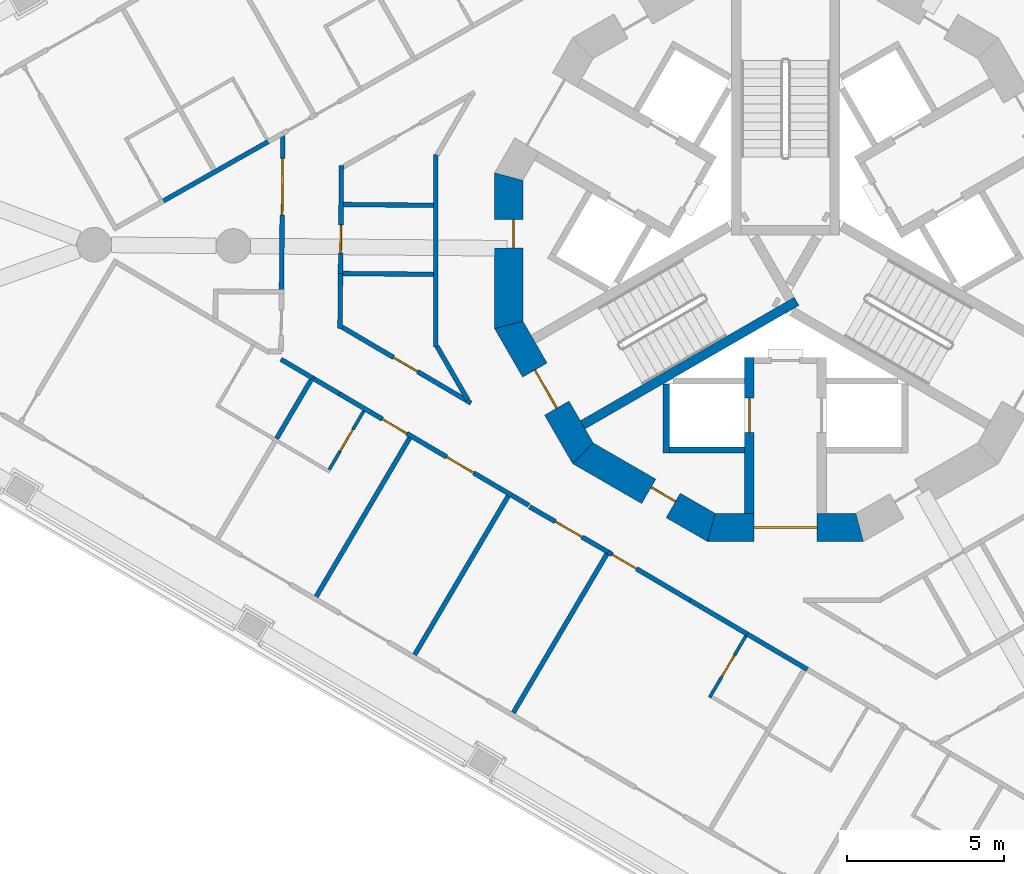
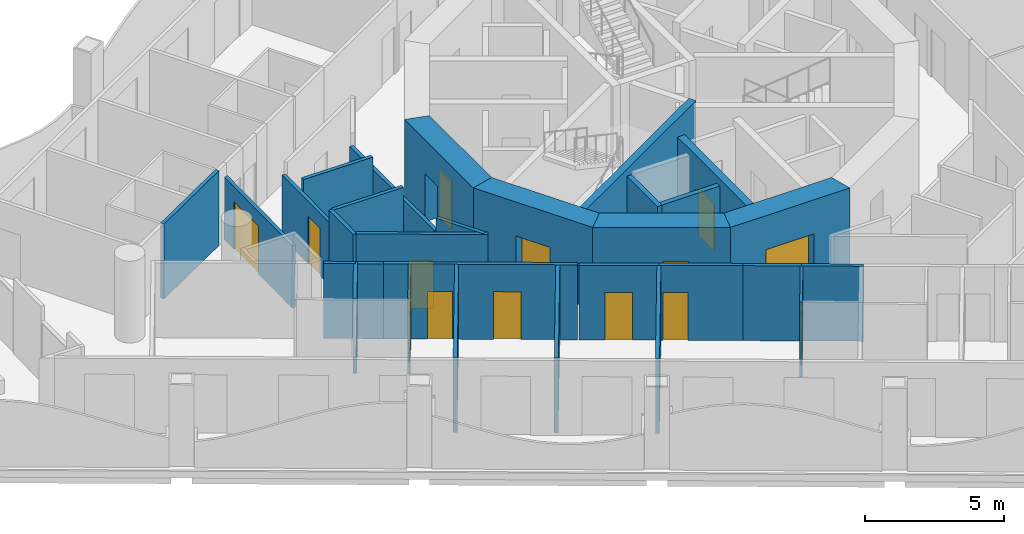
# One storey, part 3 of 17: 30 walls, 14 doors, 14 openings.
"""IFC4 building model written with IfcOpenShell, lengths in metres."""

from ifc_helpers import new_model, si_unit, direction, frame, frame_2d, origin, place, context, subcontext, project, spatial, polyline, rectangle, outline, extrude, material, layer, layer_set, type_object, element, fill, save


model = new_model("IFC4")

# Units and contexts
model_context = context("Model", 3, precision=1e-05, world=origin(), true_north=direction((0.0, 1.0)))
body_context = subcontext(model_context, "Body", "Model", "MODEL_VIEW")
ifc_project = project(units=[si_unit("LENGTHUNIT", "METRE"), si_unit("AREAUNIT", "SQUARE_METRE"), si_unit("VOLUMEUNIT", "CUBIC_METRE"), si_unit("PLANEANGLEUNIT", "RADIAN"), si_unit("MASSUNIT", "GRAM", prefix="KILO")], contexts=[model_context])

# Site, building, storey
site_placement = place(None, origin())
site = spatial("IfcSite", under=ifc_project, at=site_placement, CompositionType="ELEMENT")
building_placement = place(site_placement, origin())
building = spatial("IfcBuilding", under=site, at=building_placement, Name="Trine Commons Tower", CompositionType="ELEMENT")
storey_placement = place(building_placement, frame((0.0, 0.0, 179.10009765625)))
storey = spatial("IfcBuildingStorey", under=building, at=storey_placement, Name="L46", CompositionType="ELEMENT", Elevation=179.10009765625)

# Wall, opening, door
ifc_material_1 = material(Name="Concrete C60/75", Category="concrete")
ifc_layer_1 = layer(ifc_material_1, 0.300048828125)
ifc_layer_set_1 = layer_set([ifc_layer_1], Name="Concrete C60/75")
wall_type_1 = type_object("IfcWallType", Name="RC shear wall 300 mm, C60/75", PredefinedType="SHEAR", material=ifc_layer_set_1)
wall_1_placement = place(storey_placement, frame((78.85009765625, 59.10009765625, 0.0), z_axis=(0.0, 0.0, 1.0), x_axis=(0.0, -1.0, 0.0)))
wall_1 = element("IfcWall", 1, at=wall_1_placement, inside=storey, type_object=wall_type_1, Name="Core cross wall SWB-03 L46", PredefinedType="SHEAR", context=body_context, shape_type="SweptSolid", body=[
    extrude(rectangle(XDim=4.97314453125, YDim=0.300048828125, at=frame_2d((2.486572265625, 0.0))), origin(), (0.0, 0.0, 1.0), 3.599853515625),
])
opening_1_placement = place(wall_1_placement, frame((1.300048828125, 0.0, 0.0)))
opening_1 = element("IfcOpeningElement", 2, at=opening_1_placement, cuts=wall_1, Name="Opening LD10", PredefinedType="OPENING", context=body_context, shape_type="SweptSolid", body=[
    extrude(rectangle(XDim=1.10009765625, YDim=2.10009765625, at=frame_2d((0.550048828125, 1.050048828125))), frame((0.0, 0.159912109375, 0.0), z_axis=(0.0, -1.0, 0.0), x_axis=(1.0, 0.0, 0.0)), (0.0, 0.0, 1.0), 0.320068359375),
])
ifc_material_2 = material(Name="Stainless steel sliding door leaves", Category="steel")
door_type_1 = type_object("IfcDoorType", Name="Lift landing door, centre-opening sliding 1100 x 2100, FD90", OperationType="DOUBLE_DOOR_SLIDING", PredefinedType="DOOR", material=ifc_material_2)
door_1_placement = place(opening_1_placement, origin())
door_1 = element("IfcDoor", 3, at=door_1_placement, inside=storey, type_object=door_type_1, Name="Lift landing door FF2 L46", OperationType="DOUBLE_DOOR_SLIDING", OverallHeight=2.10009765625, OverallWidth=1.10009765625, PredefinedType="DOOR", context=body_context, shape_type="SweptSolid", body=[
    extrude(rectangle(XDim=1.10009765625, YDim=2.10009765625, at=frame_2d((0.550048828125, 1.050048828125))), frame((0.0, 0.02490234375, 0.0), z_axis=(0.0, -1.0, 0.0), x_axis=(1.0, 0.0, 0.0)), (0.0, 0.0, 1.0), 0.050048828125),
])
fill(opening_1, door_1)

# Wall
wall_2_placement = place(storey_placement, frame((80.35400390625, 60.885986328125, 0.0), z_axis=(0.0, 0.0, 1.0), x_axis=(-0.866047706748, -0.499961368145, 0.0)))
element("IfcWall", 4, at=wall_2_placement, inside=storey, type_object=wall_type_1, Name="Core cross wall SWB-14 L46", PredefinedType="SHEAR", context=body_context, shape_type="SweptSolid", body=[
    extrude(rectangle(XDim=7.87255859375, YDim=0.300048828125, at=frame_2d((3.936279296875, 0.0))), origin(), (0.0, 0.0, 1.0), 3.599853515625),
])

# Wall, opening, door
ifc_layer_2 = layer(ifc_material_1, 0.89990234375)
ifc_layer_set_2 = layer_set([ifc_layer_2], Name="Concrete C60/75")
wall_type_2 = type_object("IfcWallType", Name="RC shear wall 900 mm, C60/75", PredefinedType="SHEAR", material=ifc_layer_set_2)
wall_3_placement = place(storey_placement, frame((71.177001953125, 64.984619140625, 0.0), z_axis=(0.0, 0.0, 1.0), x_axis=(0.0, -1.0, 0.0)))
wall_3 = element("IfcWall", 5, at=wall_3_placement, inside=storey, type_object=wall_type_2, Name="Core wall CWE-07 L46", PredefinedType="SHEAR", context=body_context, shape_type="SweptSolid", body=[
    extrude(outline(polyline([(0.0, -0.449951171875), (4.969482421875, -0.449951171875), (4.728271484375, 0.449951171875), (0.2412109375, 0.449951171875), (0.0, -0.449951171875)])), origin(), (0.0, 0.0, 1.0), 3.599853515625),
])
opening_2_placement = place(wall_3_placement, frame((1.49365234375, 0.0, 0.0)))
opening_2 = element("IfcOpeningElement", 6, at=opening_2_placement, cuts=wall_3, Name="Opening K09.13", PredefinedType="OPENING", context=body_context, shape_type="SweptSolid", body=[
    extrude(rectangle(XDim=0.89990234375, YDim=2.10009765625, at=frame_2d((0.449951171875, 1.050048828125))), frame((0.0, 0.4599609375, 0.0), z_axis=(0.0, -1.0, 0.0), x_axis=(1.0, 0.0, 0.0)), (0.0, 0.0, 1.0), 0.919921875),
])
ifc_material_3 = material(Name="Steel door leaf, fire-rated", Category="steel")
door_type_2 = type_object("IfcDoorType", Name="Core room door, single leaf 900 x 2100, FD30S", OperationType="SINGLE_SWING_LEFT", PredefinedType="DOOR", material=ifc_material_3)
door_2_placement = place(opening_2_placement, origin())
door_2 = element("IfcDoor", 7, at=door_2_placement, inside=storey, type_object=door_type_2, Name="Door to Parcel store L46", OperationType="SINGLE_SWING_LEFT", OverallHeight=2.10009765625, OverallWidth=0.89990234375, PredefinedType="DOOR", context=body_context, shape_type="SweptSolid", body=[
    extrude(rectangle(XDim=0.89990234375, YDim=2.10009765625, at=frame_2d((0.449951171875, 1.050048828125))), frame((0.0, 0.1748046875, 0.0), z_axis=(0.0, -1.0, 0.0), x_axis=(1.0, 0.0, 0.0)), (0.0, 0.0, 1.0), 0.050048828125),
])
fill(opening_2, door_2)

wall_4_placement = place(storey_placement, frame((71.11669921875, 60.240234375, 0.0), z_axis=(0.0, 0.0, 1.0), x_axis=(0.500038571144, -0.866003133579, 0.0)))
wall_4 = element("IfcWall", 8, at=wall_4_placement, inside=storey, type_object=wall_type_2, Name="Core wall CWE-08 L46", PredefinedType="SHEAR", context=body_context, shape_type="SweptSolid", body=[
    extrude(outline(polyline([(0.0, -0.449951171875), (4.96923828125, -0.449951171875), (4.72802734375, 0.449951171875), (0.2412109375, 0.449951171875), (0.0, -0.449951171875)])), origin(), (0.0, 0.0, 1.0), 3.599853515625),
])
opening_3_placement = place(wall_4_placement, frame((1.78466796875, 0.0, 0.0)))
opening_3 = element("IfcOpeningElement", 9, at=opening_3_placement, cuts=wall_4, Name="Opening K09.02", PredefinedType="OPENING", context=body_context, shape_type="SweptSolid", body=[
    extrude(rectangle(XDim=1.39990234375, YDim=2.10009765625, at=frame_2d((0.699951171875, 1.050048828125))), frame((0.0, 0.4599609375, 0.0), z_axis=(0.0, -1.0, 0.0), x_axis=(1.0, 0.0, 0.0)), (0.0, 0.0, 1.0), 0.919921875),
])
ifc_material_4 = material(Name="Steel door leaves, fire-rated", Category="steel")
door_type_3 = type_object("IfcDoorType", Name="Stair door, double leaf 1400 x 2100, FD90", OperationType="DOUBLE_DOOR_SINGLE_SWING", PredefinedType="DOOR", material=ifc_material_4)
door_3_placement = place(opening_3_placement, origin())
door_3 = element("IfcDoor", 10, at=door_3_placement, inside=storey, type_object=door_type_3, Name="Stair door to Exit stair ST2B L46", OperationType="DOUBLE_DOOR_SINGLE_SWING", OverallHeight=2.10009765625, OverallWidth=1.39990234375, PredefinedType="DOOR", context=body_context, shape_type="SweptSolid", body=[
    extrude(rectangle(XDim=1.39990234375, YDim=2.10009765625, at=frame_2d((0.699951171875, 1.050048828125))), frame((0.0, 0.02490234375, 0.0), z_axis=(0.0, -1.0, 0.0), x_axis=(1.0, 0.0, 0.0)), (0.0, 0.0, 1.0), 0.050048828125),
])
fill(opening_3, door_3)

wall_5_placement = place(storey_placement, frame((73.436767578125, 56.1015625, 0.0), z_axis=(0.0, 0.0, 1.0), x_axis=(0.866003133579, -0.500038571144, 0.0)))
wall_5 = element("IfcWall", 11, at=wall_5_placement, inside=storey, type_object=wall_type_2, Name="Core wall CWE-09 L46", PredefinedType="SHEAR", context=body_context, shape_type="SweptSolid", body=[
    extrude(outline(polyline([(0.0, -0.449951171875), (4.96923828125, -0.449951171875), (4.72802734375, 0.449951171875), (0.2412109375, 0.449951171875), (0.0, -0.449951171875)])), origin(), (0.0, 0.0, 1.0), 3.599853515625),
])
opening_4_placement = place(wall_5_placement, frame((2.5458984375, 0.0, 0.0)))
opening_4 = element("IfcOpeningElement", 12, at=opening_4_placement, cuts=wall_5, Name="Opening K09.14", PredefinedType="OPENING", context=body_context, shape_type="SweptSolid", body=[
    extrude(rectangle(XDim=0.89990234375, YDim=2.10009765625, at=frame_2d((0.449951171875, 1.050048828125))), frame((0.0, 0.4599609375, 0.0), z_axis=(0.0, -1.0, 0.0), x_axis=(1.0, 0.0, 0.0)), (0.0, 0.0, 1.0), 0.919921875),
])
door_4_placement = place(opening_4_placement, origin())
door_4 = element("IfcDoor", 13, at=door_4_placement, inside=storey, type_object=door_type_2, Name="Door to Core WC L46", OperationType="SINGLE_SWING_RIGHT", OverallHeight=2.10009765625, OverallWidth=0.89990234375, PredefinedType="DOOR", context=body_context, shape_type="SweptSolid", body=[
    extrude(rectangle(XDim=0.89990234375, YDim=2.10009765625, at=frame_2d((0.449951171875, 1.050048828125))), frame((0.0, 0.1748046875, 0.0), z_axis=(0.0, -1.0, 0.0), x_axis=(1.0, 0.0, 0.0)), (0.0, 0.0, 1.0), 0.050048828125),
])
fill(opening_4, door_4)

wall_6_placement = place(storey_placement, frame((77.515380859375, 53.677001953125, 0.0), z_axis=(0.0, 0.0, 1.0), x_axis=(1.0, 0.0, 0.0)))
wall_6 = element("IfcWall", 14, at=wall_6_placement, inside=storey, type_object=wall_type_2, Name="Core wall CWE-10 L46", PredefinedType="SHEAR", context=body_context, shape_type="SweptSolid", body=[
    extrude(outline(polyline([(0.0, -0.449951171875), (4.969482421875, -0.449951171875), (4.728271484375, 0.449951171875), (0.2412109375, 0.449951171875), (0.0, -0.449951171875)])), origin(), (0.0, 0.0, 1.0), 3.599853515625),
])
opening_5_placement = place(wall_6_placement, frame((1.484619140625, 0.0, 0.0)))
opening_5 = element("IfcOpeningElement", 15, at=opening_5_placement, cuts=wall_6, Name="Opening K09.08", PredefinedType="OPENING", context=body_context, shape_type="SweptSolid", body=[
    extrude(rectangle(XDim=2.0, YDim=2.10009765625, at=frame_2d((1.0, 1.050048828125))), frame((0.0, 0.4599609375, 0.0), z_axis=(0.0, -1.0, 0.0), x_axis=(1.0, 0.0, 0.0)), (0.0, 0.0, 1.0), 0.919921875),
])
door_type_4 = type_object("IfcDoorType", Name="Lobby door, double leaf 2000 x 2100, FD60", OperationType="DOUBLE_DOOR_SINGLE_SWING", PredefinedType="DOOR", material=ifc_material_4)
door_5_placement = place(opening_5_placement, origin())
door_5 = element("IfcDoor", 16, at=door_5_placement, inside=storey, type_object=door_type_4, Name="Lobby door, Service and firefighting lobby L46", OperationType="DOUBLE_DOOR_SINGLE_SWING", OverallHeight=2.10009765625, OverallWidth=2.0, PredefinedType="DOOR", context=body_context, shape_type="SweptSolid", body=[
    extrude(rectangle(XDim=2.0, YDim=2.10009765625, at=frame_2d((1.0, 1.050048828125))), frame((0.0, 0.02490234375, 0.0), z_axis=(0.0, -1.0, 0.0), x_axis=(1.0, 0.0, 0.0)), (0.0, 0.0, 1.0), 0.050048828125),
])
fill(opening_5, door_5)

# Walls
ifc_material_5 = material(Name="Fire-rated gypsum shaft wall system")
ifc_layer_3 = layer(ifc_material_5, 0.199951171875)
ifc_layer_set_3 = layer_set([ifc_layer_3], Name="Fire-rated gypsum shaft wall system")
wall_type_3 = type_object("IfcWallType", Name="Shaft wall 200 mm, EI 120", PredefinedType="PARTITIONING", material=ifc_layer_set_3)
wall_7_placement = place(storey_placement, frame((76.199951171875, 58.257080078125, 0.0), z_axis=(0.0, 0.0, 1.0), x_axis=(0.0, -1.0, 0.0)))
element("IfcWall", 17, at=wall_7_placement, inside=storey, type_object=wall_type_3, Name="Shaft wall L46", PredefinedType="PARTITIONING", context=body_context, shape_type="SweptSolid", body=[
    extrude(rectangle(XDim=2.20703125, YDim=0.199951171875, at=frame_2d((1.103515625, 0.0))), origin(), (0.0, 0.0, 1.0), 3.2998046875),
])
wall_8_placement = place(storey_placement, frame((78.699951171875, 56.14990234375, 0.0), z_axis=(0.0, 0.0, 1.0), x_axis=(-1.0, 0.0, 0.0)))
element("IfcWall", 18, at=wall_8_placement, inside=storey, type_object=wall_type_3, Name="Shaft wall L46", PredefinedType="PARTITIONING", context=body_context, shape_type="SweptSolid", body=[
    extrude(rectangle(XDim=2.39990234375, YDim=0.199951171875, at=frame_2d((1.199951171875, 0.0))), origin(), (0.0, 0.0, 1.0), 3.2998046875),
])
ifc_material_6 = material(Name="Gypsum plasterboard on steel stud", Category="steel")
ifc_layer_4 = layer(ifc_material_6, 0.14990234375)
ifc_layer_set_4 = layer_set([ifc_layer_4], Name="Gypsum plasterboard on steel stud")
wall_type_4 = type_object("IfcWallType", Name="Unit and corridor wall 150 mm, EI 60", PredefinedType="PARTITIONING", material=ifc_layer_set_4)
wall_9_placement = place(storey_placement, frame((60.113037109375, 64.056884765625, 0.0), z_axis=(0.0, 0.0, 1.0), x_axis=(0.870300828713, 0.492520524995, 0.0)))
element("IfcWall", 19, at=wall_9_placement, inside=storey, type_object=wall_type_4, Name="Partition 008", PredefinedType="PARTITIONING", context=body_context, shape_type="SweptSolid", body=[
    extrude(rectangle(XDim=3.906494140625, YDim=0.14990234375, at=frame_2d((1.953125, 0.0))), origin(), (0.0, 0.0, 1.0), 3.2998046875),
])
wall_10_placement = place(storey_placement, frame((63.7724609375, 56.509033203125, 0.0), z_axis=(0.0, 0.0, 1.0), x_axis=(0.507359649966, 0.861734405479, 0.0)))
element("IfcWall", 20, at=wall_10_placement, inside=storey, type_object=wall_type_4, Name="Partition 020", PredefinedType="PARTITIONING", context=body_context, shape_type="SweptSolid", body=[
    extrude(rectangle(XDim=2.3251953125, YDim=0.14990234375, at=frame_2d((1.16259765625, 0.0))), origin(), (0.0, 0.0, 1.0), 3.2998046875),
])
wall_11_placement = place(storey_placement, frame((63.9140625, 59.037109375, 0.0), z_axis=(0.0, 0.0, 1.0), x_axis=(0.861518804546, -0.507725663536, 0.0)))
element("IfcWall", 21, at=wall_11_placement, inside=storey, type_object=wall_type_4, Name="Partition 021", PredefinedType="PARTITIONING", context=body_context, shape_type="SweptSolid", body=[
    extrude(rectangle(XDim=1.1640625, YDim=0.14990234375, at=frame_2d((0.58203125, 0.0))), origin(), (0.0, 0.0, 1.0), 3.2998046875),
])

# Wall, opening, door
wall_12_placement = place(storey_placement, frame((63.931884765625, 61.18310546875, 0.0), z_axis=(0.0, 0.0, 1.0), x_axis=(0.008717466764, 0.999962002165, 0.0)))
wall_12 = element("IfcWall", 22, at=wall_12_placement, inside=storey, type_object=wall_type_4, Name="Partition 023", PredefinedType="PARTITIONING", context=body_context, shape_type="SweptSolid", body=[
    extrude(rectangle(XDim=4.985107421875, YDim=0.14990234375, at=frame_2d((2.49267578125, 0.0))), origin(), (0.0, 0.0, 1.0), 2.75),
])
opening_6_placement = place(wall_12_placement, frame((2.458984375, 0.0, 0.0)))
opening_6 = element("IfcOpeningElement", 23, at=opening_6_placement, cuts=wall_12, Name="Opening D-5B03", PredefinedType="OPENING", context=body_context, shape_type="SweptSolid", body=[
    extrude(rectangle(XDim=1.800048828125, YDim=2.10009765625, at=frame_2d((0.89990234375, 1.050048828125))), frame((0.0, 0.0849609375, 0.0), z_axis=(0.0, -1.0, 0.0), x_axis=(1.0, 0.0, 0.0)), (0.0, 0.0, 1.0), 0.169921875),
])
ifc_material_7 = material(Name="Timber fire door set", Category="wood")
door_type_5 = type_object("IfcDoorType", Name="Cluster entrance door 1800 x 2100, double leaf, FD30S", OperationType="DOUBLE_DOOR_DOUBLE_SWING", PredefinedType="DOOR", material=ifc_material_7)
door_6_placement = place(opening_6_placement, origin())
door_6 = element("IfcDoor", 24, at=door_6_placement, inside=storey, type_object=door_type_5, Name="Door D-5B03", OperationType="DOUBLE_DOOR_DOUBLE_SWING", OverallHeight=2.10009765625, OverallWidth=1.800048828125, PredefinedType="DOOR", context=body_context, shape_type="SweptSolid", body=[
    extrude(rectangle(XDim=1.800048828125, YDim=2.10009765625, at=frame_2d((0.89990234375, 1.050048828125))), frame((0.0, 0.02490234375, 0.0), z_axis=(0.0, -1.0, 0.0), x_axis=(1.0, 0.0, 0.0)), (0.0, 0.0, 1.0), 0.050048828125),
])
fill(opening_6, door_6)

# Walls
wall_13_placement = place(storey_placement, frame((64.9755859375, 58.411865234375, 0.0), z_axis=(0.0, 0.0, 1.0), x_axis=(0.861348284073, -0.508014894982, 0.0)))
element("IfcWall", 25, at=wall_13_placement, inside=storey, type_object=wall_type_4, Name="Partition 025", PredefinedType="PARTITIONING", context=body_context, shape_type="SweptSolid", body=[
    extrude(rectangle(XDim=0.932861328125, YDim=0.14990234375, at=frame_2d((0.46630859375, 0.0))), origin(), (0.0, 0.0, 1.0), 3.2998046875),
])
wall_14_placement = place(storey_placement, frame((65.037353515625, 51.470458984375, 0.0), z_axis=(0.0, 0.0, 1.0), x_axis=(0.507499507785, 0.861652046709, 0.0)))
element("IfcWall", 26, at=wall_14_placement, inside=storey, type_object=wall_type_4, Name="Partition 027", PredefinedType="PARTITIONING", context=body_context, shape_type="SweptSolid", body=[
    extrude(rectangle(XDim=5.874755859375, YDim=0.14990234375, at=frame_2d((2.9375, 0.0))), origin(), (0.0, 0.0, 1.0), 3.2998046875),
])

# Wall, openings, doors
wall_15_placement = place(storey_placement, frame((65.779052734375, 57.93798828125, 0.0), z_axis=(0.0, 0.0, 1.0), x_axis=(0.861623120435, -0.507548616718, 0.0)))
wall_15 = element("IfcWall", 27, at=wall_15_placement, inside=storey, type_object=wall_type_4, Name="Partition 032", PredefinedType="PARTITIONING", context=body_context, shape_type="SweptSolid", body=[
    extrude(rectangle(XDim=7.004150390625, YDim=0.14990234375, at=frame_2d((3.501953125, 0.0))), origin(), (0.0, 0.0, 1.0), 3.2998046875),
])
opening_7_placement = place(wall_15_placement, frame((3.967041015625, 0.0, 0.0)))
opening_7 = element("IfcOpeningElement", 28, at=opening_7_placement, cuts=wall_15, Name="Opening D-5B27", PredefinedType="OPENING", context=body_context, shape_type="SweptSolid", body=[
    extrude(rectangle(XDim=1.0, YDim=2.10009765625, at=frame_2d((0.5, 1.050048828125))), frame((0.0, 0.0849609375, 0.0), z_axis=(0.0, -1.0, 0.0), x_axis=(1.0, 0.0, 0.0)), (0.0, 0.0, 1.0), 0.169921875),
])
opening_8_placement = place(wall_15_placement, frame((1.593505859375, 0.0, 0.0)))
opening_8 = element("IfcOpeningElement", 29, at=opening_8_placement, cuts=wall_15, Name="Opening D-5B28", PredefinedType="OPENING", context=body_context, shape_type="SweptSolid", body=[
    extrude(rectangle(XDim=0.89990234375, YDim=2.10009765625, at=frame_2d((0.449951171875, 1.050048828125))), frame((0.0, 0.0849609375, 0.0), z_axis=(0.0, -1.0, 0.0), x_axis=(1.0, 0.0, 0.0)), (0.0, 0.0, 1.0), 0.169921875),
])
ifc_material_8 = material(Name="Painted timber", Category="wood")
door_type_6 = type_object("IfcDoorType", Name="Amenity room door 1000 x 2100, NOT RATED", OperationType="NOTDEFINED", PredefinedType="DOOR", material=ifc_material_8)
door_7_placement = place(opening_7_placement, frame((1.0, 0.0, 0.0), z_axis=(0.0, 0.0, 1.0), x_axis=(-1.0, 0.0, 0.0)))
door_7 = element("IfcDoor", 30, at=door_7_placement, inside=storey, type_object=door_type_6, Name="Door D-5B27", OperationType="SINGLE_SWING_LEFT", OverallHeight=2.10009765625, OverallWidth=1.0, PredefinedType="DOOR", context=body_context, shape_type="SweptSolid", body=[
    extrude(rectangle(XDim=1.0, YDim=2.10009765625, at=frame_2d((0.5, 1.050048828125))), frame((0.0, 0.02490234375, 0.0), z_axis=(0.0, -1.0, 0.0), x_axis=(1.0, 0.0, 0.0)), (0.0, 0.0, 1.0), 0.050048828125),
])
fill(opening_7, door_7)
door_type_7 = type_object("IfcDoorType", Name="Bedroom door 900 x 2100, FD30S", OperationType="NOTDEFINED", PredefinedType="DOOR", material=ifc_material_7)
door_8_placement = place(opening_8_placement, frame((0.89990234375, 0.0, 0.0), z_axis=(0.0, 0.0, 1.0), x_axis=(-1.0, 0.0, 0.0)))
door_8 = element("IfcDoor", 31, at=door_8_placement, inside=storey, type_object=door_type_7, Name="Door D-5B28", OperationType="SINGLE_SWING_RIGHT", OverallHeight=2.10009765625, OverallWidth=0.89990234375, PredefinedType="DOOR", context=body_context, shape_type="SweptSolid", body=[
    extrude(rectangle(XDim=0.89990234375, YDim=2.10009765625, at=frame_2d((0.449951171875, 1.050048828125))), frame((0.0, 0.02490234375, 0.0), z_axis=(0.0, -1.0, 0.0), x_axis=(1.0, 0.0, 0.0)), (0.0, 0.0, 1.0), 0.050048828125),
])
fill(opening_8, door_8)

# Wall
wall_16_placement = place(storey_placement, frame((65.79736328125, 60.028076171875, 0.0), z_axis=(0.0, 0.0, 1.0), x_axis=(0.00892821556, 0.999960142689, 0.0)))
element("IfcWall", 32, at=wall_16_placement, inside=storey, type_object=wall_type_4, Name="Partition 033", PredefinedType="PARTITIONING", context=body_context, shape_type="SweptSolid", body=[
    extrude(rectangle(XDim=1.75, YDim=0.14990234375, at=frame_2d((0.875, 0.0))), origin(), (0.0, 0.0, 1.0), 3.2998046875),
])

# Wall, opening, door
wall_17_placement = place(storey_placement, frame((65.862548828125, 60.06494140625, 0.0), z_axis=(0.0, 0.0, 1.0), x_axis=(0.861635540959, -0.507527530835, 0.0)))
wall_17 = element("IfcWall", 33, at=wall_17_placement, inside=storey, type_object=wall_type_4, Name="Partition 034", PredefinedType="PARTITIONING", context=body_context, shape_type="SweptSolid", body=[
    extrude(rectangle(XDim=4.7724609375, YDim=0.14990234375, at=frame_2d((2.38623046875, 0.0))), origin(), (0.0, 0.0, 1.0), 3.2998046875),
])
opening_9_placement = place(wall_17_placement, frame((1.898681640625, 0.0, 0.0)))
opening_9 = element("IfcOpeningElement", 34, at=opening_9_placement, cuts=wall_17, Name="Opening D-5B30", PredefinedType="OPENING", context=body_context, shape_type="SweptSolid", body=[
    extrude(rectangle(XDim=0.89990234375, YDim=2.10009765625, at=frame_2d((0.449951171875, 1.050048828125))), frame((0.0, 0.0849609375, 0.0), z_axis=(0.0, -1.0, 0.0), x_axis=(1.0, 0.0, 0.0)), (0.0, 0.0, 1.0), 0.169921875),
])
door_type_8 = type_object("IfcDoorType", Name="Service door 900 x 2100, FD30S", OperationType="NOTDEFINED", PredefinedType="DOOR", material=ifc_material_7)
door_9_placement = place(opening_9_placement, origin())
door_9 = element("IfcDoor", 35, at=door_9_placement, inside=storey, type_object=door_type_8, Name="Door D-5B30", OperationType="SINGLE_SWING_LEFT", OverallHeight=2.10009765625, OverallWidth=0.89990234375, PredefinedType="DOOR", context=body_context, shape_type="SweptSolid", body=[
    extrude(rectangle(XDim=0.89990234375, YDim=2.10009765625, at=frame_2d((0.449951171875, 1.050048828125))), frame((0.0, 0.02490234375, 0.0), z_axis=(0.0, -1.0, 0.0), x_axis=(1.0, 0.0, 0.0)), (0.0, 0.0, 1.0), 0.050048828125),
])
fill(opening_9, door_9)

wall_18_placement = place(storey_placement, frame((65.8125, 61.695068359375, 0.0), z_axis=(0.0, 0.0, 1.0), x_axis=(0.008521236962, 0.999963693601, 0.0)))
wall_18 = element("IfcWall", 36, at=wall_18_placement, inside=storey, type_object=wall_type_4, Name="Partition 035", PredefinedType="PARTITIONING", context=body_context, shape_type="SweptSolid", body=[
    extrude(rectangle(XDim=3.524169921875, YDim=0.14990234375, at=frame_2d((1.76220703125, 0.0))), origin(), (0.0, 0.0, 1.0), 2.75),
])
opening_10_placement = place(wall_18_placement, frame((0.72900390625, 0.0, 0.0)))
opening_10 = element("IfcOpeningElement", 37, at=opening_10_placement, cuts=wall_18, Name="Opening D-5B36", PredefinedType="OPENING", context=body_context, shape_type="SweptSolid", body=[
    extrude(rectangle(XDim=0.89990234375, YDim=2.10009765625, at=frame_2d((0.449951171875, 1.050048828125))), frame((0.0, 0.0849609375, 0.0), z_axis=(0.0, -1.0, 0.0), x_axis=(1.0, 0.0, 0.0)), (0.0, 0.0, 1.0), 0.169921875),
])
door_10_placement = place(opening_10_placement, frame((0.89990234375, 0.0, 0.0), z_axis=(0.0, 0.0, 1.0), x_axis=(-1.0, 0.0, 0.0)))
door_10 = element("IfcDoor", 38, at=door_10_placement, inside=storey, type_object=door_type_8, Name="Door D-5B36", OperationType="SINGLE_SWING_RIGHT", OverallHeight=2.10009765625, OverallWidth=0.89990234375, PredefinedType="DOOR", context=body_context, shape_type="SweptSolid", body=[
    extrude(rectangle(XDim=0.89990234375, YDim=2.10009765625, at=frame_2d((0.449951171875, 1.050048828125))), frame((0.0, 0.02490234375, 0.0), z_axis=(0.0, -1.0, 0.0), x_axis=(1.0, 0.0, 0.0)), (0.0, 0.0, 1.0), 0.050048828125),
])
fill(opening_10, door_10)

# Walls
wall_19_placement = place(storey_placement, frame((65.887939453125, 61.773193359375, 0.0), z_axis=(0.0, 0.0, 1.0), x_axis=(0.999961385679, -0.008787897931, 0.0)))
element("IfcWall", 39, at=wall_19_placement, inside=storey, type_object=wall_type_4, Name="Partition 036", PredefinedType="PARTITIONING", context=body_context, shape_type="SweptSolid", body=[
    extrude(rectangle(XDim=2.88916015625, YDim=0.14990234375, at=frame_2d((1.444580078125, 0.0))), origin(), (0.0, 0.0, 1.0), 3.2998046875),
])
wall_20_placement = place(storey_placement, frame((65.906982421875, 63.973388671875, 0.0), z_axis=(0.0, 0.0, 1.0), x_axis=(0.999960115563, -0.008931253159, 0.0)))
element("IfcWall", 40, at=wall_20_placement, inside=storey, type_object=wall_type_4, Name="Partition 038", PredefinedType="PARTITIONING", context=body_context, shape_type="SweptSolid", body=[
    extrude(rectangle(XDim=2.8701171875, YDim=0.14990234375, at=frame_2d((1.43505859375, 0.0))), origin(), (0.0, 0.0, 1.0), 3.2998046875),
])
wall_21_placement = place(storey_placement, frame((68.17919921875, 49.619384765625, 0.0), z_axis=(0.0, 0.0, 1.0), x_axis=(0.507603061138, 0.861591047031, 0.0)))
element("IfcWall", 41, at=wall_21_placement, inside=storey, type_object=wall_type_4, Name="Partition 042", PredefinedType="PARTITIONING", context=body_context, shape_type="SweptSolid", body=[
    extrude(rectangle(XDim=5.8740234375, YDim=0.14990234375, at=frame_2d((2.93701171875, 0.0))), origin(), (0.0, 0.0, 1.0), 3.2998046875),
])
wall_22_placement = place(storey_placement, frame((68.85205078125, 59.43798828125, 0.0), z_axis=(0.0, 0.0, 1.0), x_axis=(0.0, 1.0, 0.0)))
element("IfcWall", 42, at=wall_22_placement, inside=storey, type_object=wall_type_4, Name="Partition 044", PredefinedType="PARTITIONING", context=body_context, shape_type="SweptSolid", body=[
    extrude(rectangle(XDim=6.1240234375, YDim=0.14990234375, at=frame_2d((3.06201171875, 0.0))), origin(), (0.0, 0.0, 1.0), 2.75),
])
wall_23_placement = place(storey_placement, frame((68.889404296875, 59.447998046875, 0.0), z_axis=(0.0, 0.0, 1.0), x_axis=(0.500259007655, -0.865875813994, 0.0)))
element("IfcWall", 43, at=wall_23_placement, inside=storey, type_object=wall_type_4, Name="Partition 045", PredefinedType="PARTITIONING", context=body_context, shape_type="SweptSolid", body=[
    extrude(rectangle(XDim=1.96923828125, YDim=0.14990234375, at=frame_2d((0.984619140625, 0.0))), origin(), (0.0, 0.0, 1.0), 3.2998046875),
])
wall_24_placement = place(storey_placement, frame((71.322265625, 47.7685546875, 0.0), z_axis=(0.0, 0.0, 1.0), x_axis=(0.507621238888, 0.86158033742, 0.0)))
element("IfcWall", 44, at=wall_24_placement, inside=storey, type_object=wall_type_4, Name="Partition 049", PredefinedType="PARTITIONING", context=body_context, shape_type="SweptSolid", body=[
    extrude(rectangle(XDim=5.873779296875, YDim=0.14990234375, at=frame_2d((2.93701171875, 0.0))), origin(), (0.0, 0.0, 1.0), 3.2998046875),
])

# Wall, opening, door
wall_25_placement = place(storey_placement, frame((71.839111328125, 54.339111328125, 0.0), z_axis=(0.0, 0.0, 1.0), x_axis=(0.866109656245, -0.499854042055, 0.0)))
wall_25 = element("IfcWall", 45, at=wall_25_placement, inside=storey, type_object=wall_type_4, Name="Partition 051", PredefinedType="PARTITIONING", context=body_context, shape_type="SweptSolid", body=[
    extrude(rectangle(XDim=2.890869140625, YDim=0.14990234375, at=frame_2d((1.4453125, 0.0))), origin(), (0.0, 0.0, 1.0), 3.2998046875),
])
opening_11_placement = place(wall_25_placement, frame((0.94482421875, 0.0, 0.0)))
opening_11 = element("IfcOpeningElement", 46, at=opening_11_placement, cuts=wall_25, Name="Opening D-5B26", PredefinedType="OPENING", context=body_context, shape_type="SweptSolid", body=[
    extrude(rectangle(XDim=1.0, YDim=2.10009765625, at=frame_2d((0.5, 1.050048828125))), frame((0.0, 0.0849609375, 0.0), z_axis=(0.0, -1.0, 0.0), x_axis=(1.0, 0.0, 0.0)), (0.0, 0.0, 1.0), 0.169921875),
])
door_11_placement = place(opening_11_placement, frame((1.0, 0.0, 0.0), z_axis=(0.0, 0.0, 1.0), x_axis=(-1.0, 0.0, 0.0)))
door_11 = element("IfcDoor", 47, at=door_11_placement, inside=storey, type_object=door_type_6, Name="Door D-5B26", OperationType="SINGLE_SWING_RIGHT", OverallHeight=2.10009765625, OverallWidth=1.0, PredefinedType="DOOR", context=body_context, shape_type="SweptSolid", body=[
    extrude(rectangle(XDim=1.0, YDim=2.10009765625, at=frame_2d((0.5, 1.050048828125))), frame((0.0, 0.02490234375, 0.0), z_axis=(0.0, -1.0, 0.0), x_axis=(1.0, 0.0, 0.0)), (0.0, 0.0, 1.0), 0.050048828125),
])
fill(opening_11, door_11)

wall_26_placement = place(storey_placement, frame((74.343017578125, 52.89306640625, 0.0), z_axis=(0.0, 0.0, 1.0), x_axis=(0.861723501075, -0.507378170298, 0.0)))
wall_26 = element("IfcWall", 48, at=wall_26_placement, inside=storey, type_object=wall_type_4, Name="Partition 052", PredefinedType="PARTITIONING", context=body_context, shape_type="SweptSolid", body=[
    extrude(rectangle(XDim=3.0390625, YDim=0.14990234375, at=frame_2d((1.51953125, 0.0))), origin(), (0.0, 0.0, 1.0), 3.2998046875),
])
opening_12_placement = place(wall_26_placement, frame((0.14990234375, 0.0, 0.0)))
opening_12 = element("IfcOpeningElement", 49, at=opening_12_placement, cuts=wall_26, Name="Opening D-5B25", PredefinedType="OPENING", context=body_context, shape_type="SweptSolid", body=[
    extrude(rectangle(XDim=0.89990234375, YDim=2.10009765625, at=frame_2d((0.449951171875, 1.050048828125))), frame((0.0, 0.0849609375, 0.0), z_axis=(0.0, -1.0, 0.0), x_axis=(1.0, 0.0, 0.0)), (0.0, 0.0, 1.0), 0.169921875),
])
door_12_placement = place(opening_12_placement, frame((0.89990234375, 0.0, 0.0), z_axis=(0.0, 0.0, 1.0), x_axis=(-1.0, 0.0, 0.0)))
door_12 = element("IfcDoor", 50, at=door_12_placement, inside=storey, type_object=door_type_7, Name="Door D-5B25", OperationType="SINGLE_SWING_RIGHT", OverallHeight=2.10009765625, OverallWidth=0.89990234375, PredefinedType="DOOR", context=body_context, shape_type="SweptSolid", body=[
    extrude(rectangle(XDim=0.89990234375, YDim=2.10009765625, at=frame_2d((0.449951171875, 1.050048828125))), frame((0.0, 0.02490234375, 0.0), z_axis=(0.0, -1.0, 0.0), x_axis=(1.0, 0.0, 0.0)), (0.0, 0.0, 1.0), 0.050048828125),
])
fill(opening_12, door_12)

# Walls
wall_27_placement = place(storey_placement, frame((76.9599609375, 51.35205078125, 0.0), z_axis=(0.0, 0.0, 1.0), x_axis=(0.861490543353, -0.50777361463, 0.0)))
element("IfcWall", 51, at=wall_27_placement, inside=storey, type_object=wall_type_4, Name="Partition 057", PredefinedType="PARTITIONING", context=body_context, shape_type="SweptSolid", body=[
    extrude(rectangle(XDim=2.109375, YDim=0.14990234375, at=frame_2d((1.0546875, 0.0))), origin(), (0.0, 0.0, 1.0), 3.2998046875),
])
wall_28_placement = place(storey_placement, frame((78.727783203125, 50.310302734375, 0.0), z_axis=(0.0, 0.0, 1.0), x_axis=(0.861645374086, -0.507510836648, 0.0)))
element("IfcWall", 52, at=wall_28_placement, inside=storey, type_object=wall_type_4, Name="Partition 064", PredefinedType="PARTITIONING", context=body_context, shape_type="SweptSolid", body=[
    extrude(rectangle(XDim=2.28271484375, YDim=0.14990234375, at=frame_2d((1.141357421875, 0.0))), origin(), (0.0, 0.0, 1.0), 3.2998046875),
])

# Wall, opening, door
ifc_layer_5 = layer(ifc_material_6, 0.10009765625)
ifc_layer_set_5 = layer_set([ifc_layer_5], Name="Gypsum plasterboard on steel stud")
wall_type_5 = type_object("IfcWallType", Name="Unit partition 100 mm, no rating", PredefinedType="PARTITIONING", material=ifc_layer_set_5)
wall_29_placement = place(storey_placement, frame((65.452392578125, 55.51904296875, 0.0), z_axis=(0.0, 0.0, 1.0), x_axis=(0.507363468798, 0.861732157071, 0.0)))
wall_29 = element("IfcWall", 53, at=wall_29_placement, inside=storey, type_object=wall_type_5, Name="Partition 031", PredefinedType="PARTITIONING", context=body_context, shape_type="SweptSolid", body=[
    extrude(rectangle(XDim=2.175048828125, YDim=0.10009765625, at=frame_2d((1.08740234375, 0.0))), origin(), (0.0, 0.0, 1.0), 3.2998046875),
])
opening_13_placement = place(wall_29_placement, frame((0.6875, 0.0, 0.0)))
opening_13 = element("IfcOpeningElement", 54, at=opening_13_placement, cuts=wall_29, Name="Opening D-5B57", PredefinedType="OPENING", context=body_context, shape_type="SweptSolid", body=[
    extrude(rectangle(XDim=0.800048828125, YDim=2.10009765625, at=frame_2d((0.39990234375, 1.050048828125))), frame((0.0, 0.06005859375, 0.0), z_axis=(0.0, -1.0, 0.0), x_axis=(1.0, 0.0, 0.0)), (0.0, 0.0, 1.0), 0.1201171875),
])
door_type_9 = type_object("IfcDoorType", Name="Internal door 800 x 2100, NOT RATED", OperationType="NOTDEFINED", PredefinedType="DOOR", material=ifc_material_8)
door_13_placement = place(opening_13_placement, frame((0.800048828125, 0.0, 0.0), z_axis=(0.0, 0.0, 1.0), x_axis=(-1.0, 0.0, 0.0)))
door_13 = element("IfcDoor", 55, at=door_13_placement, inside=storey, type_object=door_type_9, Name="Door D-5B57", OperationType="SINGLE_SWING_RIGHT", OverallHeight=2.10009765625, OverallWidth=0.800048828125, PredefinedType="DOOR", context=body_context, shape_type="SweptSolid", body=[
    extrude(rectangle(XDim=0.800048828125, YDim=2.10009765625, at=frame_2d((0.39990234375, 1.050048828125))), frame((0.0, 0.02490234375, 0.0), z_axis=(0.0, -1.0, 0.0), x_axis=(1.0, 0.0, 0.0)), (0.0, 0.0, 1.0), 0.050048828125),
])
fill(opening_13, door_13)

wall_30_placement = place(storey_placement, frame((77.58154296875, 48.2587890625, 0.0), z_axis=(0.0, 0.0, 1.0), x_axis=(0.507517296511, 0.861641569182, 0.0)))
wall_30 = element("IfcWall", 56, at=wall_30_placement, inside=storey, type_object=wall_type_5, Name="Partition 060", PredefinedType="PARTITIONING", context=body_context, shape_type="SweptSolid", body=[
    extrude(rectangle(XDim=2.2744140625, YDim=0.10009765625, at=frame_2d((1.13720703125, 0.0))), origin(), (0.0, 0.0, 1.0), 3.2998046875),
])
opening_14_placement = place(wall_30_placement, frame((0.76220703125, 0.0, 0.0)))
opening_14 = element("IfcOpeningElement", 57, at=opening_14_placement, cuts=wall_30, Name="Opening D-5B56", PredefinedType="OPENING", context=body_context, shape_type="SweptSolid", body=[
    extrude(rectangle(XDim=0.800048828125, YDim=2.10009765625, at=frame_2d((0.39990234375, 1.050048828125))), frame((0.0, 0.06005859375, 0.0), z_axis=(0.0, -1.0, 0.0), x_axis=(1.0, 0.0, 0.0)), (0.0, 0.0, 1.0), 0.1201171875),
])
door_14_placement = place(opening_14_placement, origin())
door_14 = element("IfcDoor", 58, at=door_14_placement, inside=storey, type_object=door_type_9, Name="Door D-5B56", OperationType="SINGLE_SWING_RIGHT", OverallHeight=2.10009765625, OverallWidth=0.800048828125, PredefinedType="DOOR", context=body_context, shape_type="SweptSolid", body=[
    extrude(rectangle(XDim=0.800048828125, YDim=2.10009765625, at=frame_2d((0.39990234375, 1.050048828125))), frame((0.0, 0.02490234375, 0.0), z_axis=(0.0, -1.0, 0.0), x_axis=(1.0, 0.0, 0.0)), (0.0, 0.0, 1.0), 0.050048828125),
])
fill(opening_14, door_14)

save(model, "model.ifc")
